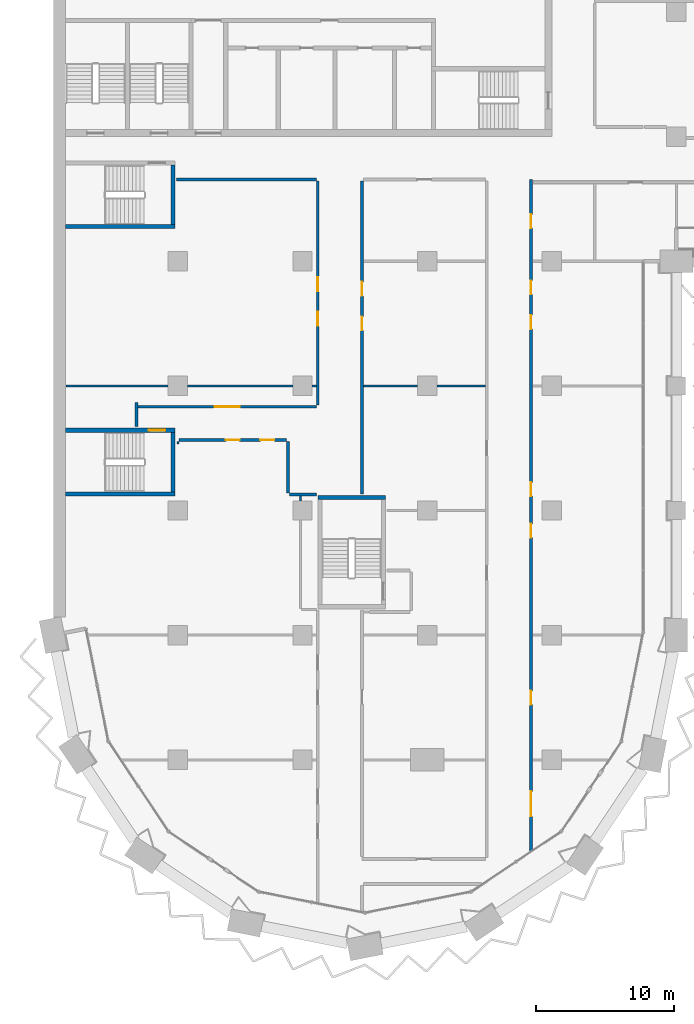
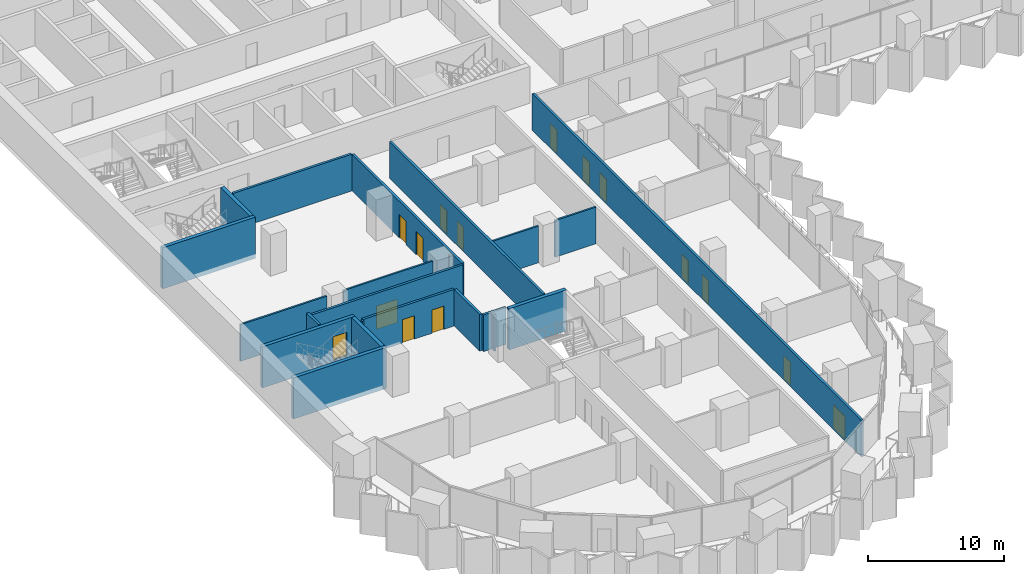
# One storey, part 11 of 29: 22 walls, 15 doors, 15 openings.
"""IFC4 building model written with IfcOpenShell, lengths in metres."""

from ifc_helpers import new_model, si_unit, direction, frame, frame_2d, origin, place, context, subcontext, project, spatial, rectangle, extrude, material, layer, layer_set, type_object, element, fill, save


model = new_model("IFC4")

# Units and contexts
model_context = context("Model", 3, precision=1e-05, world=origin(), true_north=direction((0.0, 1.0)))
body_context = subcontext(model_context, "Body", "Model", "MODEL_VIEW")
ifc_project = project(units=[si_unit("LENGTHUNIT", "METRE"), si_unit("AREAUNIT", "SQUARE_METRE"), si_unit("VOLUMEUNIT", "CUBIC_METRE"), si_unit("PLANEANGLEUNIT", "RADIAN"), si_unit("MASSUNIT", "GRAM", prefix="KILO")], contexts=[model_context])

# Site, building, storey
site_placement = place(None, origin())
site = spatial("IfcSite", under=ifc_project, at=site_placement, CompositionType="ELEMENT")
building_placement = place(site_placement, origin())
building = spatial("IfcBuilding", under=site, at=building_placement, Name="Hunhe Ridgeline Campus", CompositionType="ELEMENT")
storey_placement = place(building_placement, frame((0.0, 0.0, 50.60009765625)))
storey = spatial("IfcBuildingStorey", under=building, at=storey_placement, Name="L11", CompositionType="ELEMENT", Elevation=50.60009765625)

# Wall
ifc_material_1 = material(Name="Gypsum board partition")
ifc_layer_1 = layer(ifc_material_1, 0.199951171875)
ifc_layer_set_1 = layer_set([ifc_layer_1], Name="Corridor partition 200 gypsum board on steel studs")
wall_type_1 = type_object("IfcWallType", Name="Corridor partition 200 gypsum board on steel studs", PredefinedType="PARTITIONING", material=ifc_layer_set_1)
wall_1_placement = place(storey_placement, frame((18.99609375, 37.14990234375, 0.0), z_axis=(0.0, 0.0, 1.0), x_axis=(-1.0, 0.0, 0.0)))
element("IfcWall", 1, at=wall_1_placement, inside=storey, type_object=wall_type_1, Name="F-L11-wall-023", PredefinedType="PARTITIONING", context=body_context, shape_type="SweptSolid", body=[
    extrude(rectangle(XDim=1.946044921875, YDim=0.199951171875, at=frame_2d((0.97314453125, 0.0))), origin(), (0.0, 0.0, 1.0), 3.2998046875),
])

# Wall, openings, doors
wall_2_placement = place(storey_placement, frame((16.85009765625, 41.10009765625, 0.0), z_axis=(0.0, 0.0, 1.0), x_axis=(-1.0, 0.0, 0.0)))
wall_2 = element("IfcWall", 2, at=wall_2_placement, inside=storey, type_object=wall_type_1, Name="F-L11-wall-024", PredefinedType="PARTITIONING", context=body_context, shape_type="SweptSolid", body=[
    extrude(rectangle(XDim=7.775146484375, YDim=0.199951171875, at=frame_2d((3.8876953125, 0.0))), origin(), (0.0, 0.0, 1.0), 3.2998046875),
])
opening_1_placement = place(wall_2_placement, frame((3.387451171875, 0.0, 0.0)))
opening_1 = element("IfcOpeningElement", 3, at=opening_1_placement, cuts=wall_2, Name="Opening RD1-013", PredefinedType="OPENING", context=body_context, shape_type="SweptSolid", body=[
    extrude(rectangle(XDim=1.0, YDim=2.10009765625, at=frame_2d((0.5, 1.050048828125))), frame((0.0, 0.10009765625, 0.0), z_axis=(0.0, -1.0, 0.0), x_axis=(1.0, 0.0, 0.0)), (0.0, 0.0, 1.0), 0.199951171875),
])
opening_2_placement = place(wall_2_placement, frame((0.887451171875, 0.0, 0.0)))
opening_2 = element("IfcOpeningElement", 4, at=opening_2_placement, cuts=wall_2, Name="Opening RD1-014", PredefinedType="OPENING", context=body_context, shape_type="SweptSolid", body=[
    extrude(rectangle(XDim=1.0, YDim=2.10009765625, at=frame_2d((0.5, 1.050048828125))), frame((0.0, 0.10009765625, 0.0), z_axis=(0.0, -1.0, 0.0), x_axis=(1.0, 0.0, 0.0)), (0.0, 0.0, 1.0), 0.199951171875),
])
ifc_material_2 = material(Name="Timber door leaf", Category="wood")
door_type_1 = type_object("IfcDoorType", Name="Single fire door 1000x2100 timber FD60", OperationType="NOTDEFINED", PredefinedType="DOOR", material=ifc_material_2)
door_1_placement = place(opening_1_placement, frame((1.0, 0.0, 0.0), z_axis=(0.0, 0.0, 1.0), x_axis=(-1.0, 0.0, 0.0)))
door_1 = element("IfcDoor", 5, at=door_1_placement, inside=storey, type_object=door_type_1, Name="F-L11-door-013", OperationType="SINGLE_SWING_RIGHT", OverallHeight=2.10009765625, OverallWidth=1.0, PredefinedType="DOOR", context=body_context, shape_type="SweptSolid", body=[
    extrude(rectangle(XDim=1.0, YDim=2.10009765625, at=frame_2d((0.5, 1.050048828125))), frame((0.0, 0.02490234375, 0.0), z_axis=(0.0, -1.0, 0.0), x_axis=(1.0, 0.0, 0.0)), (0.0, 0.0, 1.0), 0.050048828125),
])
fill(opening_1, door_1)
door_2_placement = place(opening_2_placement, frame((1.0, 0.0, 0.0), z_axis=(0.0, 0.0, 1.0), x_axis=(-1.0, 0.0, 0.0)))
door_2 = element("IfcDoor", 6, at=door_2_placement, inside=storey, type_object=door_type_1, Name="F-L11-door-014", OperationType="SINGLE_SWING_RIGHT", OverallHeight=2.10009765625, OverallWidth=1.0, PredefinedType="DOOR", context=body_context, shape_type="SweptSolid", body=[
    extrude(rectangle(XDim=1.0, YDim=2.10009765625, at=frame_2d((0.5, 1.050048828125))), frame((0.0, 0.02490234375, 0.0), z_axis=(0.0, -1.0, 0.0), x_axis=(1.0, 0.0, 0.0)), (0.0, 0.0, 1.0), 0.050048828125),
])
fill(opening_2, door_2)

# Wall, opening, door
wall_3_placement = place(storey_placement, frame((6.10009765625, 43.5, 0.0), z_axis=(0.0, 0.0, 1.0), x_axis=(1.0, 0.0, 0.0)))
wall_3 = element("IfcWall", 7, at=wall_3_placement, inside=storey, type_object=wall_type_1, Name="F-L11-wall-025", PredefinedType="PARTITIONING", context=body_context, shape_type="SweptSolid", body=[
    extrude(rectangle(XDim=12.89990234375, YDim=0.199951171875, at=frame_2d((6.449951171875, 0.0))), origin(), (0.0, 0.0, 1.0), 3.2998046875),
])
opening_3_placement = place(wall_3_placement, frame((5.550048828125, 0.0, 0.0)))
opening_3 = element("IfcOpeningElement", 8, at=opening_3_placement, cuts=wall_3, Name="Opening RD2-015", PredefinedType="OPENING", context=body_context, shape_type="SweptSolid", body=[
    extrude(rectangle(XDim=1.800048828125, YDim=2.10009765625, at=frame_2d((0.89990234375, 1.050048828125))), frame((0.0, 0.10009765625, 0.0), z_axis=(0.0, -1.0, 0.0), x_axis=(1.0, 0.0, 0.0)), (0.0, 0.0, 1.0), 0.199951171875),
])
door_type_2 = type_object("IfcDoorType", Name="Double fire door 1800x2100 timber FD60", OperationType="DOUBLE_DOOR_SINGLE_SWING", PredefinedType="DOOR", material=ifc_material_2)
door_3_placement = place(opening_3_placement, origin())
door_3 = element("IfcDoor", 9, at=door_3_placement, inside=storey, type_object=door_type_2, Name="F-L11-door-015", OperationType="DOUBLE_DOOR_SINGLE_SWING", OverallHeight=2.10009765625, OverallWidth=1.800048828125, PredefinedType="DOOR", context=body_context, shape_type="SweptSolid", body=[
    extrude(rectangle(XDim=1.800048828125, YDim=2.10009765625, at=frame_2d((0.89990234375, 1.050048828125))), frame((0.0, 0.02490234375, 0.0), z_axis=(0.0, -1.0, 0.0), x_axis=(1.0, 0.0, 0.0)), (0.0, 0.0, 1.0), 0.050048828125),
])
fill(opening_3, door_3)

# Walls
wall_4_placement = place(storey_placement, frame((19.0, 59.89990234375, 0.0), z_axis=(0.0, 0.0, 1.0), x_axis=(-1.0, 0.0, 0.0)))
element("IfcWall", 10, at=wall_4_placement, inside=storey, type_object=wall_type_1, Name="F-L11-wall-038", PredefinedType="PARTITIONING", context=body_context, shape_type="SweptSolid", body=[
    extrude(rectangle(XDim=10.095947265625, YDim=0.199951171875, at=frame_2d((5.0478515625, 0.0))), origin(), (0.0, 0.0, 1.0), 3.2998046875),
])
wall_5_placement = place(storey_placement, frame((6.0, 42.053955078125, 0.0), z_axis=(0.0, 0.0, 1.0), x_axis=(0.0, 1.0, 0.0)))
element("IfcWall", 11, at=wall_5_placement, inside=storey, type_object=wall_type_1, Name="F-L11-wall-055", PredefinedType="PARTITIONING", context=body_context, shape_type="SweptSolid", body=[
    extrude(rectangle(XDim=1.74609375, YDim=0.199951171875, at=frame_2d((0.873046875, 0.0))), origin(), (0.0, 0.0, 1.0), 3.2998046875),
])
wall_6_placement = place(storey_placement, frame((16.949951171875, 37.25, 0.0), z_axis=(0.0, 0.0, 1.0), x_axis=(0.0, 1.0, 0.0)))
element("IfcWall", 12, at=wall_6_placement, inside=storey, type_object=wall_type_1, Name="F-L11-wall-057", PredefinedType="PARTITIONING", context=body_context, shape_type="SweptSolid", body=[
    extrude(rectangle(XDim=3.75, YDim=0.199951171875, at=frame_2d((1.875, 0.0))), origin(), (0.0, 0.0, 1.0), 3.2998046875),
])

# Wall, openings, doors
wall_7_placement = place(storey_placement, frame((19.10009765625, 43.6181640625, 0.0), z_axis=(0.0, 0.0, 1.0), x_axis=(0.0, 1.0, 0.0)))
wall_7 = element("IfcWall", 13, at=wall_7_placement, inside=storey, type_object=wall_type_1, Name="F-L11-wall-061", PredefinedType="PARTITIONING", context=body_context, shape_type="SweptSolid", body=[
    extrude(rectangle(XDim=16.181884765625, YDim=0.199951171875, at=frame_2d((8.0908203125, 0.0))), origin(), (0.0, 0.0, 1.0), 3.2998046875),
])
opening_4_placement = place(wall_7_placement, frame((5.72314453125, 0.0, 0.0)))
opening_4 = element("IfcOpeningElement", 14, at=opening_4_placement, cuts=wall_7, Name="Opening RD1-018", PredefinedType="OPENING", context=body_context, shape_type="SweptSolid", body=[
    extrude(rectangle(XDim=1.0, YDim=2.10009765625, at=frame_2d((0.5, 1.050048828125))), frame((0.0, 0.10009765625, 0.0), z_axis=(0.0, -1.0, 0.0), x_axis=(1.0, 0.0, 0.0)), (0.0, 0.0, 1.0), 0.199951171875),
])
opening_5_placement = place(wall_7_placement, frame((8.22314453125, 0.0, 0.0)))
opening_5 = element("IfcOpeningElement", 15, at=opening_5_placement, cuts=wall_7, Name="Opening RD1-021", PredefinedType="OPENING", context=body_context, shape_type="SweptSolid", body=[
    extrude(rectangle(XDim=1.0, YDim=2.10009765625, at=frame_2d((0.5, 1.050048828125))), frame((0.0, 0.10009765625, 0.0), z_axis=(0.0, -1.0, 0.0), x_axis=(1.0, 0.0, 0.0)), (0.0, 0.0, 1.0), 0.199951171875),
])
door_4_placement = place(opening_4_placement, frame((1.0, 0.0, 0.0), z_axis=(0.0, 0.0, 1.0), x_axis=(-1.0, 0.0, 0.0)))
door_4 = element("IfcDoor", 16, at=door_4_placement, inside=storey, type_object=door_type_1, Name="F-L11-door-018", OperationType="SINGLE_SWING_RIGHT", OverallHeight=2.10009765625, OverallWidth=1.0, PredefinedType="DOOR", context=body_context, shape_type="SweptSolid", body=[
    extrude(rectangle(XDim=1.0, YDim=2.10009765625, at=frame_2d((0.5, 1.050048828125))), frame((0.0, 0.02490234375, 0.0), z_axis=(0.0, -1.0, 0.0), x_axis=(1.0, 0.0, 0.0)), (0.0, 0.0, 1.0), 0.050048828125),
])
fill(opening_4, door_4)
door_5_placement = place(opening_5_placement, frame((1.0, 0.0, 0.0), z_axis=(0.0, 0.0, 1.0), x_axis=(-1.0, 0.0, 0.0)))
door_5 = element("IfcDoor", 17, at=door_5_placement, inside=storey, type_object=door_type_1, Name="F-L11-door-021", OperationType="SINGLE_SWING_RIGHT", OverallHeight=2.10009765625, OverallWidth=1.0, PredefinedType="DOOR", context=body_context, shape_type="SweptSolid", body=[
    extrude(rectangle(XDim=1.0, YDim=2.10009765625, at=frame_2d((0.5, 1.050048828125))), frame((0.0, 0.02490234375, 0.0), z_axis=(0.0, -1.0, 0.0), x_axis=(1.0, 0.0, 0.0)), (0.0, 0.0, 1.0), 0.050048828125),
])
fill(opening_5, door_5)

wall_8_placement = place(storey_placement, frame((22.300048828125, 59.800048828125, 0.0), z_axis=(0.0, 0.0, 1.0), x_axis=(0.0, -1.0, 0.0)))
wall_8 = element("IfcWall", 18, at=wall_8_placement, inside=storey, type_object=wall_type_1, Name="F-L11-wall-064", PredefinedType="PARTITIONING", context=body_context, shape_type="SweptSolid", body=[
    extrude(rectangle(XDim=22.595947265625, YDim=0.199951171875, at=frame_2d((11.2978515625, 0.0))), origin(), (0.0, 0.0, 1.0), 3.2998046875),
])
opening_6_placement = place(wall_8_placement, frame((9.793701171875, 0.0, 0.0)))
opening_6 = element("IfcOpeningElement", 19, at=opening_6_placement, cuts=wall_8, Name="Opening RD1-016", PredefinedType="OPENING", context=body_context, shape_type="SweptSolid", body=[
    extrude(rectangle(XDim=1.0, YDim=2.10009765625, at=frame_2d((0.5, 1.050048828125))), frame((0.0, 0.10009765625, 0.0), z_axis=(0.0, -1.0, 0.0), x_axis=(1.0, 0.0, 0.0)), (0.0, 0.0, 1.0), 0.199951171875),
])
opening_7_placement = place(wall_8_placement, frame((7.293701171875, 0.0, 0.0)))
opening_7 = element("IfcOpeningElement", 20, at=opening_7_placement, cuts=wall_8, Name="Opening RD1-019", PredefinedType="OPENING", context=body_context, shape_type="SweptSolid", body=[
    extrude(rectangle(XDim=1.0, YDim=2.10009765625, at=frame_2d((0.5, 1.050048828125))), frame((0.0, 0.10009765625, 0.0), z_axis=(0.0, -1.0, 0.0), x_axis=(1.0, 0.0, 0.0)), (0.0, 0.0, 1.0), 0.199951171875),
])
door_6_placement = place(opening_6_placement, frame((1.0, 0.0, 0.0), z_axis=(0.0, 0.0, 1.0), x_axis=(-1.0, 0.0, 0.0)))
door_6 = element("IfcDoor", 21, at=door_6_placement, inside=storey, type_object=door_type_1, Name="F-L11-door-016", OperationType="SINGLE_SWING_RIGHT", OverallHeight=2.10009765625, OverallWidth=1.0, PredefinedType="DOOR", context=body_context, shape_type="SweptSolid", body=[
    extrude(rectangle(XDim=1.0, YDim=2.10009765625, at=frame_2d((0.5, 1.050048828125))), frame((0.0, 0.02490234375, 0.0), z_axis=(0.0, -1.0, 0.0), x_axis=(1.0, 0.0, 0.0)), (0.0, 0.0, 1.0), 0.050048828125),
])
fill(opening_6, door_6)
door_7_placement = place(opening_7_placement, frame((1.0, 0.0, 0.0), z_axis=(0.0, 0.0, 1.0), x_axis=(-1.0, 0.0, 0.0)))
door_7 = element("IfcDoor", 22, at=door_7_placement, inside=storey, type_object=door_type_1, Name="F-L11-door-019", OperationType="SINGLE_SWING_RIGHT", OverallHeight=2.10009765625, OverallWidth=1.0, PredefinedType="DOOR", context=body_context, shape_type="SweptSolid", body=[
    extrude(rectangle(XDim=1.0, YDim=2.10009765625, at=frame_2d((0.5, 1.050048828125))), frame((0.0, 0.02490234375, 0.0), z_axis=(0.0, -1.0, 0.0), x_axis=(1.0, 0.0, 0.0)), (0.0, 0.0, 1.0), 0.050048828125),
])
fill(opening_7, door_7)

wall_9_placement = place(storey_placement, frame((34.5, 59.89990234375, 0.0), z_axis=(0.0, 0.0, 1.0), x_axis=(0.0, -1.0, 0.0)))
wall_9 = element("IfcWall", 23, at=wall_9_placement, inside=storey, type_object=wall_type_1, Name="F-L11-wall-067", PredefinedType="PARTITIONING", context=body_context, shape_type="SweptSolid", body=[
    extrude(rectangle(XDim=48.4697265625, YDim=0.199951171875, at=frame_2d((24.23486328125, 0.0))), origin(), (0.0, 0.0, 1.0), 3.2998046875),
])
opening_8_placement = place(wall_9_placement, frame((44.179443359375, 0.0, 0.0)))
opening_8 = element("IfcOpeningElement", 24, at=opening_8_placement, cuts=wall_9, Name="Opening RD2-003", PredefinedType="OPENING", context=body_context, shape_type="SweptSolid", body=[
    extrude(rectangle(XDim=1.800048828125, YDim=2.10009765625, at=frame_2d((0.89990234375, 1.050048828125))), frame((0.0, 0.10009765625, 0.0), z_axis=(0.0, -1.0, 0.0), x_axis=(1.0, 0.0, 0.0)), (0.0, 0.0, 1.0), 0.199951171875),
])
opening_9_placement = place(wall_9_placement, frame((36.919677734375, 0.0, 0.0)))
opening_9 = element("IfcOpeningElement", 25, at=opening_9_placement, cuts=wall_9, Name="Opening RD1-007", PredefinedType="OPENING", context=body_context, shape_type="SweptSolid", body=[
    extrude(rectangle(XDim=1.0, YDim=2.10009765625, at=frame_2d((0.5, 1.050048828125))), frame((0.0, 0.10009765625, 0.0), z_axis=(0.0, -1.0, 0.0), x_axis=(1.0, 0.0, 0.0)), (0.0, 0.0, 1.0), 0.199951171875),
])
opening_10_placement = place(wall_9_placement, frame((24.858154296875, 0.0, 0.0)))
opening_10 = element("IfcOpeningElement", 26, at=opening_10_placement, cuts=wall_9, Name="Opening RD1-010", PredefinedType="OPENING", context=body_context, shape_type="SweptSolid", body=[
    extrude(rectangle(XDim=1.0, YDim=2.10009765625, at=frame_2d((0.5, 1.050048828125))), frame((0.0, 0.10009765625, 0.0), z_axis=(0.0, -1.0, 0.0), x_axis=(1.0, 0.0, 0.0)), (0.0, 0.0, 1.0), 0.199951171875),
])
opening_11_placement = place(wall_9_placement, frame((21.858154296875, 0.0, 0.0)))
opening_11 = element("IfcOpeningElement", 27, at=opening_11_placement, cuts=wall_9, Name="Opening RD1-011", PredefinedType="OPENING", context=body_context, shape_type="SweptSolid", body=[
    extrude(rectangle(XDim=1.0, YDim=2.10009765625, at=frame_2d((0.5, 1.050048828125))), frame((0.0, 0.10009765625, 0.0), z_axis=(0.0, -1.0, 0.0), x_axis=(1.0, 0.0, 0.0)), (0.0, 0.0, 1.0), 0.199951171875),
])
opening_12_placement = place(wall_9_placement, frame((9.796630859375, 0.0, 0.0)))
opening_12 = element("IfcOpeningElement", 28, at=opening_12_placement, cuts=wall_9, Name="Opening RD1-017", PredefinedType="OPENING", context=body_context, shape_type="SweptSolid", body=[
    extrude(rectangle(XDim=1.0, YDim=2.10009765625, at=frame_2d((0.5, 1.050048828125))), frame((0.0, 0.10009765625, 0.0), z_axis=(0.0, -1.0, 0.0), x_axis=(1.0, 0.0, 0.0)), (0.0, 0.0, 1.0), 0.199951171875),
])
opening_13_placement = place(wall_9_placement, frame((7.296630859375, 0.0, 0.0)))
opening_13 = element("IfcOpeningElement", 29, at=opening_13_placement, cuts=wall_9, Name="Opening RD1-020", PredefinedType="OPENING", context=body_context, shape_type="SweptSolid", body=[
    extrude(rectangle(XDim=1.0, YDim=2.10009765625, at=frame_2d((0.5, 1.050048828125))), frame((0.0, 0.10009765625, 0.0), z_axis=(0.0, -1.0, 0.0), x_axis=(1.0, 0.0, 0.0)), (0.0, 0.0, 1.0), 0.199951171875),
])
opening_14_placement = place(wall_9_placement, frame((2.513671875, 0.0, 0.0)))
opening_14 = element("IfcOpeningElement", 30, at=opening_14_placement, cuts=wall_9, Name="Opening RD1-022", PredefinedType="OPENING", context=body_context, shape_type="SweptSolid", body=[
    extrude(rectangle(XDim=1.0, YDim=2.10009765625, at=frame_2d((0.5, 1.050048828125))), frame((0.0, 0.10009765625, 0.0), z_axis=(0.0, -1.0, 0.0), x_axis=(1.0, 0.0, 0.0)), (0.0, 0.0, 1.0), 0.199951171875),
])
door_8_placement = place(opening_8_placement, origin())
door_8 = element("IfcDoor", 31, at=door_8_placement, inside=storey, type_object=door_type_2, Name="F-L11-door-003", OperationType="DOUBLE_DOOR_SINGLE_SWING", OverallHeight=2.10009765625, OverallWidth=1.800048828125, PredefinedType="DOOR", context=body_context, shape_type="SweptSolid", body=[
    extrude(rectangle(XDim=1.800048828125, YDim=2.10009765625, at=frame_2d((0.89990234375, 1.050048828125))), frame((0.0, 0.02490234375, 0.0), z_axis=(0.0, -1.0, 0.0), x_axis=(1.0, 0.0, 0.0)), (0.0, 0.0, 1.0), 0.050048828125),
])
fill(opening_8, door_8)
door_9_placement = place(opening_9_placement, origin())
door_9 = element("IfcDoor", 32, at=door_9_placement, inside=storey, type_object=door_type_1, Name="F-L11-door-007", OperationType="SINGLE_SWING_LEFT", OverallHeight=2.10009765625, OverallWidth=1.0, PredefinedType="DOOR", context=body_context, shape_type="SweptSolid", body=[
    extrude(rectangle(XDim=1.0, YDim=2.10009765625, at=frame_2d((0.5, 1.050048828125))), frame((0.0, 0.02490234375, 0.0), z_axis=(0.0, -1.0, 0.0), x_axis=(1.0, 0.0, 0.0)), (0.0, 0.0, 1.0), 0.050048828125),
])
fill(opening_9, door_9)
door_10_placement = place(opening_10_placement, frame((1.0, 0.0, 0.0), z_axis=(0.0, 0.0, 1.0), x_axis=(-1.0, 0.0, 0.0)))
door_10 = element("IfcDoor", 33, at=door_10_placement, inside=storey, type_object=door_type_1, Name="F-L11-door-010", OperationType="SINGLE_SWING_LEFT", OverallHeight=2.10009765625, OverallWidth=1.0, PredefinedType="DOOR", context=body_context, shape_type="SweptSolid", body=[
    extrude(rectangle(XDim=1.0, YDim=2.10009765625, at=frame_2d((0.5, 1.050048828125))), frame((0.0, 0.02490234375, 0.0), z_axis=(0.0, -1.0, 0.0), x_axis=(1.0, 0.0, 0.0)), (0.0, 0.0, 1.0), 0.050048828125),
])
fill(opening_10, door_10)
door_11_placement = place(opening_11_placement, frame((1.0, 0.0, 0.0), z_axis=(0.0, 0.0, 1.0), x_axis=(-1.0, 0.0, 0.0)))
door_11 = element("IfcDoor", 34, at=door_11_placement, inside=storey, type_object=door_type_1, Name="F-L11-door-011", OperationType="SINGLE_SWING_RIGHT", OverallHeight=2.10009765625, OverallWidth=1.0, PredefinedType="DOOR", context=body_context, shape_type="SweptSolid", body=[
    extrude(rectangle(XDim=1.0, YDim=2.10009765625, at=frame_2d((0.5, 1.050048828125))), frame((0.0, 0.02490234375, 0.0), z_axis=(0.0, -1.0, 0.0), x_axis=(1.0, 0.0, 0.0)), (0.0, 0.0, 1.0), 0.050048828125),
])
fill(opening_11, door_11)
door_12_placement = place(opening_12_placement, frame((1.0, 0.0, 0.0), z_axis=(0.0, 0.0, 1.0), x_axis=(-1.0, 0.0, 0.0)))
door_12 = element("IfcDoor", 35, at=door_12_placement, inside=storey, type_object=door_type_1, Name="F-L11-door-017", OperationType="SINGLE_SWING_RIGHT", OverallHeight=2.10009765625, OverallWidth=1.0, PredefinedType="DOOR", context=body_context, shape_type="SweptSolid", body=[
    extrude(rectangle(XDim=1.0, YDim=2.10009765625, at=frame_2d((0.5, 1.050048828125))), frame((0.0, 0.02490234375, 0.0), z_axis=(0.0, -1.0, 0.0), x_axis=(1.0, 0.0, 0.0)), (0.0, 0.0, 1.0), 0.050048828125),
])
fill(opening_12, door_12)
door_13_placement = place(opening_13_placement, frame((1.0, 0.0, 0.0), z_axis=(0.0, 0.0, 1.0), x_axis=(-1.0, 0.0, 0.0)))
door_13 = element("IfcDoor", 36, at=door_13_placement, inside=storey, type_object=door_type_1, Name="F-L11-door-020", OperationType="SINGLE_SWING_RIGHT", OverallHeight=2.10009765625, OverallWidth=1.0, PredefinedType="DOOR", context=body_context, shape_type="SweptSolid", body=[
    extrude(rectangle(XDim=1.0, YDim=2.10009765625, at=frame_2d((0.5, 1.050048828125))), frame((0.0, 0.02490234375, 0.0), z_axis=(0.0, -1.0, 0.0), x_axis=(1.0, 0.0, 0.0)), (0.0, 0.0, 1.0), 0.050048828125),
])
fill(opening_13, door_13)
door_14_placement = place(opening_14_placement, origin())
door_14 = element("IfcDoor", 37, at=door_14_placement, inside=storey, type_object=door_type_1, Name="F-L11-door-022", OperationType="SINGLE_SWING_LEFT", OverallHeight=2.10009765625, OverallWidth=1.0, PredefinedType="DOOR", context=body_context, shape_type="SweptSolid", body=[
    extrude(rectangle(XDim=1.0, YDim=2.10009765625, at=frame_2d((0.5, 1.050048828125))), frame((0.0, 0.02490234375, 0.0), z_axis=(0.0, -1.0, 0.0), x_axis=(1.0, 0.0, 0.0)), (0.0, 0.0, 1.0), 0.050048828125),
])
fill(opening_14, door_14)

# Walls
ifc_layer_2 = layer(ifc_material_1, 0.14990234375)
ifc_layer_set_2 = layer_set([ifc_layer_2], Name="Room partition 150 gypsum board on steel studs")
wall_type_2 = type_object("IfcWallType", Name="Room partition 150 gypsum board on steel studs", PredefinedType="PARTITIONING", material=ifc_layer_set_2)
wall_10_placement = place(storey_placement, frame((0.919921875, 45.0, 0.0), z_axis=(0.0, 0.0, 1.0), x_axis=(1.0, 0.0, 0.0)))
element("IfcWall", 38, at=wall_10_placement, inside=storey, type_object=wall_type_2, Name="F-L11-wall-026", PredefinedType="PARTITIONING", context=body_context, shape_type="SweptSolid", body=[
    extrude(rectangle(XDim=7.380126953125, YDim=0.14990234375, at=frame_2d((3.68994140625, 0.0))), origin(), (0.0, 0.0, 1.0), 3.2998046875),
])
wall_11_placement = place(storey_placement, frame((9.699951171875, 45.0, 0.0), z_axis=(0.0, 0.0, 1.0), x_axis=(1.0, 0.0, 0.0)))
element("IfcWall", 39, at=wall_11_placement, inside=storey, type_object=wall_type_2, Name="F-L11-wall-027", PredefinedType="PARTITIONING", context=body_context, shape_type="SweptSolid", body=[
    extrude(rectangle(XDim=7.60009765625, YDim=0.14990234375, at=frame_2d((3.800048828125, 0.0))), origin(), (0.0, 0.0, 1.0), 3.2998046875),
])
wall_12_placement = place(storey_placement, frame((18.699951171875, 45.0, 0.0), z_axis=(0.0, 0.0, 1.0), x_axis=(1.0, 0.0, 0.0)))
element("IfcWall", 40, at=wall_12_placement, inside=storey, type_object=wall_type_2, Name="F-L11-wall-028", PredefinedType="PARTITIONING", context=body_context, shape_type="SweptSolid", body=[
    extrude(rectangle(XDim=0.300048828125, YDim=0.14990234375, at=frame_2d((0.14990234375, 0.0))), origin(), (0.0, 0.0, 1.0), 3.2998046875),
])
wall_13_placement = place(storey_placement, frame((22.39990234375, 45.0, 0.0), z_axis=(0.0, 0.0, 1.0), x_axis=(1.0, 0.0, 0.0)))
element("IfcWall", 41, at=wall_13_placement, inside=storey, type_object=wall_type_2, Name="F-L11-wall-029", PredefinedType="PARTITIONING", context=body_context, shape_type="SweptSolid", body=[
    extrude(rectangle(XDim=3.900146484375, YDim=0.14990234375, at=frame_2d((1.9501953125, 0.0))), origin(), (0.0, 0.0, 1.0), 3.2998046875),
])
wall_14_placement = place(storey_placement, frame((27.699951171875, 45.0, 0.0), z_axis=(0.0, 0.0, 1.0), x_axis=(1.0, 0.0, 0.0)))
element("IfcWall", 42, at=wall_14_placement, inside=storey, type_object=wall_type_2, Name="F-L11-wall-030", PredefinedType="PARTITIONING", context=body_context, shape_type="SweptSolid", body=[
    extrude(rectangle(XDim=3.5, YDim=0.14990234375, at=frame_2d((1.75, 0.0))), origin(), (0.0, 0.0, 1.0), 3.2998046875),
])
wall_15_placement = place(storey_placement, frame((9.0, 41.0, 0.0), z_axis=(0.0, 0.0, 1.0), x_axis=(0.0, -1.0, 0.0)))
element("IfcWall", 43, at=wall_15_placement, inside=storey, type_object=wall_type_2, Name="F-L11-wall-056", PredefinedType="PARTITIONING", context=body_context, shape_type="SweptSolid", body=[
    extrude(rectangle(XDim=0.199951171875, YDim=0.14990234375, at=frame_2d((0.10009765625, 0.0))), origin(), (0.0, 0.0, 1.0), 3.2998046875),
])
wall_16_placement = place(storey_placement, frame((17.85009765625, 37.050048828125, 0.0), z_axis=(0.0, 0.0, 1.0), x_axis=(0.0, -1.0, 0.0)))
element("IfcWall", 44, at=wall_16_placement, inside=storey, type_object=wall_type_2, Name="F-L11-wall-059", PredefinedType="PARTITIONING", context=body_context, shape_type="SweptSolid", body=[
    extrude(rectangle(XDim=0.35009765625, YDim=0.14990234375, at=frame_2d((0.175048828125, 0.0))), origin(), (0.0, 0.0, 1.0), 3.2998046875),
])
ifc_material_3 = material(Name="Concrete C80", Category="concrete")
ifc_layer_3 = layer(ifc_material_3, 0.300048828125)
ifc_layer_set_3 = layer_set([ifc_layer_3], Name="Stair wall 300 reinforced concrete C80")
wall_type_3 = type_object("IfcWallType", Name="Stair wall 300 reinforced concrete C80", PredefinedType="SOLIDWALL", material=ifc_layer_set_3)
wall_17_placement = place(storey_placement, frame((19.10009765625, 36.949951171875, -0.400146484375), z_axis=(0.0, 0.0, 1.0), x_axis=(1.0, 0.0, 0.0)))
element("IfcWall", 45, at=wall_17_placement, inside=storey, type_object=wall_type_3, Name="L11 core wall 2", PredefinedType="SOLIDWALL", context=body_context, shape_type="SweptSolid", body=[
    extrude(rectangle(XDim=4.89990234375, YDim=0.300048828125, at=frame_2d((2.449951171875, 0.0))), origin(), (0.0, 0.0, 1.0), 3.699951171875),
])
wall_18_placement = place(storey_placement, frame((0.89990234375, 37.199951171875, -0.400146484375), z_axis=(0.0, 0.0, 1.0), x_axis=(1.0, 0.0, 0.0)))
element("IfcWall", 46, at=wall_18_placement, inside=storey, type_object=wall_type_3, Name="L11 core wall 3", PredefinedType="SOLIDWALL", context=body_context, shape_type="SweptSolid", body=[
    extrude(rectangle(XDim=7.900146484375, YDim=0.300048828125, at=frame_2d((3.9501953125, 0.0))), origin(), (0.0, 0.0, 1.0), 3.699951171875),
])

# Wall, opening, door
wall_19_placement = place(storey_placement, frame((0.89990234375, 41.800048828125, -0.400146484375), z_axis=(0.0, 0.0, 1.0), x_axis=(1.0, 0.0, 0.0)))
wall_19 = element("IfcWall", 47, at=wall_19_placement, inside=storey, type_object=wall_type_3, Name="L11 core wall 4", PredefinedType="SOLIDWALL", context=body_context, shape_type="SweptSolid", body=[
    extrude(rectangle(XDim=7.900146484375, YDim=0.300048828125, at=frame_2d((3.9501953125, 0.0))), origin(), (0.0, 0.0, 1.0), 3.699951171875),
])
opening_15_placement = place(wall_19_placement, frame((6.0, 0.0, 0.39990234375)))
opening_15 = element("IfcOpeningElement", 48, at=opening_15_placement, cuts=wall_19, Name="Opening CD21", PredefinedType="OPENING", context=body_context, shape_type="SweptSolid", body=[
    extrude(rectangle(XDim=1.199951171875, YDim=2.10009765625, at=frame_2d((0.60009765625, 1.050048828125))), frame((0.0, 0.14990234375, 0.0), z_axis=(0.0, -1.0, 0.0), x_axis=(1.0, 0.0, 0.0)), (0.0, 0.0, 1.0), 0.300048828125),
])
ifc_material_4 = material(Name="Hollow metal fire door leaf")
door_type_3 = type_object("IfcDoorType", Name="Stair door 1200x2100 FD60", OperationType="SINGLE_SWING_LEFT", PredefinedType="DOOR", material=ifc_material_4)
door_15_placement = place(opening_15_placement, origin())
door_15 = element("IfcDoor", 49, at=door_15_placement, inside=storey, type_object=door_type_3, Name="L11 door W1", OperationType="SINGLE_SWING_LEFT", OverallHeight=2.10009765625, OverallWidth=1.199951171875, PredefinedType="DOOR", context=body_context, shape_type="SweptSolid", body=[
    extrude(rectangle(XDim=1.199951171875, YDim=2.10009765625, at=frame_2d((0.60009765625, 1.050048828125))), frame((0.0, 0.02490234375, 0.0), z_axis=(0.0, -1.0, 0.0), x_axis=(1.0, 0.0, 0.0)), (0.0, 0.0, 1.0), 0.050048828125),
])
fill(opening_15, door_15)

# Walls
wall_20_placement = place(storey_placement, frame((0.89990234375, 56.5, -0.400146484375), z_axis=(0.0, 0.0, 1.0), x_axis=(1.0, 0.0, 0.0)))
element("IfcWall", 50, at=wall_20_placement, inside=storey, type_object=wall_type_3, Name="L11 core wall 5", PredefinedType="SOLIDWALL", context=body_context, shape_type="SweptSolid", body=[
    extrude(rectangle(XDim=7.900146484375, YDim=0.300048828125, at=frame_2d((3.9501953125, 0.0))), origin(), (0.0, 0.0, 1.0), 3.699951171875),
])
wall_21_placement = place(storey_placement, frame((8.64990234375, 37.35009765625, -0.400146484375), z_axis=(0.0, 0.0, 1.0), x_axis=(0.0, 1.0, 0.0)))
element("IfcWall", 51, at=wall_21_placement, inside=storey, type_object=wall_type_3, Name="L11 core wall 39", PredefinedType="SOLIDWALL", context=body_context, shape_type="SweptSolid", body=[
    extrude(rectangle(XDim=4.2998046875, YDim=0.300048828125, at=frame_2d((2.14990234375, 0.0))), origin(), (0.0, 0.0, 1.0), 3.699951171875),
])
wall_22_placement = place(storey_placement, frame((8.64990234375, 56.64990234375, -0.400146484375), z_axis=(0.0, 0.0, 1.0), x_axis=(0.0, 1.0, 0.0)))
element("IfcWall", 52, at=wall_22_placement, inside=storey, type_object=wall_type_3, Name="L11 core wall 40", PredefinedType="SOLIDWALL", context=body_context, shape_type="SweptSolid", body=[
    extrude(rectangle(XDim=4.300048828125, YDim=0.300048828125, at=frame_2d((2.14990234375, 0.0))), origin(), (0.0, 0.0, 1.0), 3.699951171875),
])

save(model, "model.ifc")
